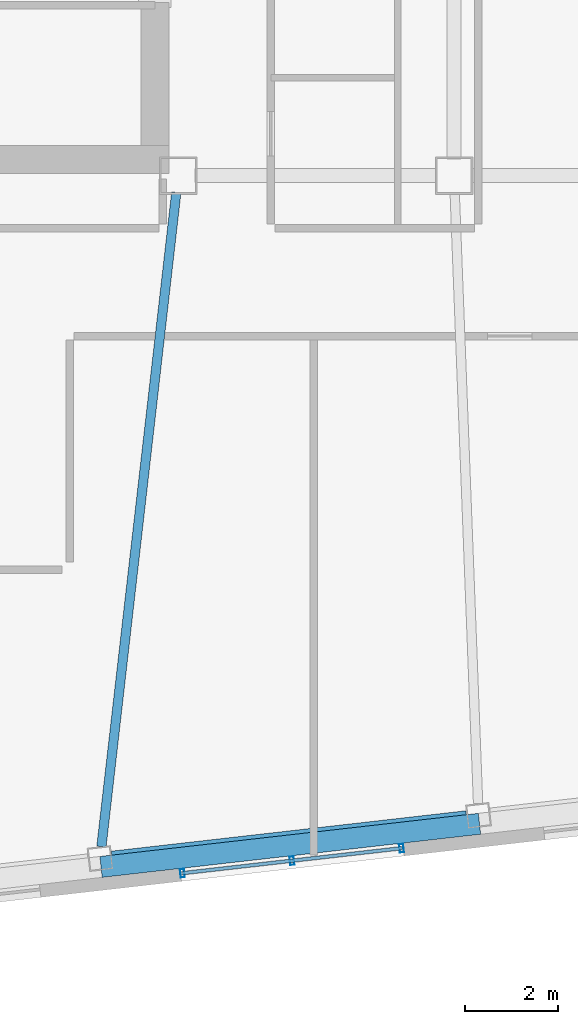
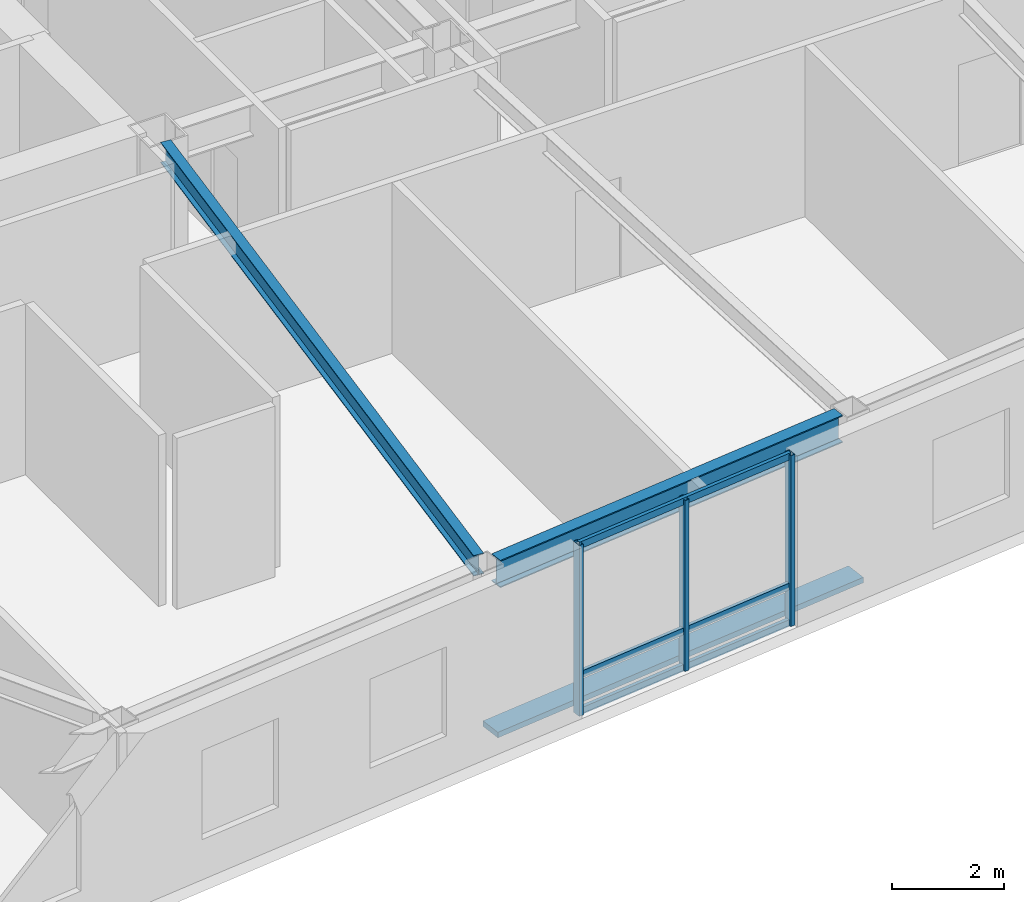
# One storey, part 4 of 19: 7 members, 2 beams, 1 element without a shape of its own.
"""IFC4 building model written with IfcOpenShell, lengths in metres."""

from ifc_helpers import new_model, si_unit, direction, frame, origin, origin_2d, place, context, subcontext, project, spatial, rectangle, hollow_rectangle, i_section, extrude, material, layer, layer_set, material_profile, profile_set, type_object, element, aggregate, save


model = new_model("IFC4")

# Units and contexts
model_context = context("Model", 3, precision=1e-05, world=origin(), true_north=direction((0.0, 1.0)))
body_context = subcontext(model_context, "Body", "Model", "MODEL_VIEW")
ifc_project = project(units=[si_unit("LENGTHUNIT", "METRE"), si_unit("AREAUNIT", "SQUARE_METRE"), si_unit("VOLUMEUNIT", "CUBIC_METRE"), si_unit("PLANEANGLEUNIT", "RADIAN"), si_unit("MASSUNIT", "GRAM", prefix="KILO")], contexts=[model_context])

# Site, building, storey
site_placement = place(None, origin())
site = spatial("IfcSite", under=ifc_project, at=site_placement, CompositionType="ELEMENT")
building_placement = place(site_placement, origin())
building = spatial("IfcBuilding", under=site, at=building_placement, Name="Tavrogorsk Clinical Tower", CompositionType="ELEMENT")
storey_placement = place(building_placement, frame((0.0, 0.0, 263.0)))
storey = spatial("IfcBuildingStorey", under=building, at=storey_placement, Name="L61", CompositionType="ELEMENT", Elevation=263.0)

# Member
ifc_material_1 = material(Name="Anodised aluminium alloy AW-6063", Category="aluminium")
ifc_material_profile_1 = material_profile(ifc_material_1, rectangle(XDim=0.449951171875, YDim=0.1201171875, at=origin_2d()), Name="ALU-SUNSHADE-450x120")
ifc_profile_set_1 = profile_set([ifc_material_profile_1], Name="Anodised aluminium alloy AW-6063")
member_type_1 = type_object("IfcMemberType", Name="ChicagoSunshade_450x120", PredefinedType="USERDEFINED", material=ifc_profile_set_1)
member_1_placement = place(storey_placement, frame((-11.951904296875, -21.136474609375, 0.179931640625), z_axis=(0.9935729766, 0.113193375116, 0.0), x_axis=(-0.113193375116, 0.9935729766, 0.0)))
element("IfcMember", 1, at=member_1_placement, inside=storey, type_object=member_type_1, Name="L61 South Aluminium Sunshade S3", ObjectType="SUNSHADE", PredefinedType="USERDEFINED", context=body_context, shape_type="SweptSolid", body=[
    extrude(rectangle(XDim=0.449951171875, YDim=0.1201171875, at=origin_2d()), origin(), (0.0, 0.0, 1.0), 8.148681640625),
])

# Curtain wall, members
ifc_material_2 = material(Name="Anodised aluminium and triple IGU glazing", Category="aluminium")
ifc_layer = layer(ifc_material_2, 0.179931640625)
ifc_layer_set = layer_set([ifc_layer], Name="Anodised aluminium and triple IGU glazing")
curtain_wall_type = type_object("IfcCurtainWallType", Name="CW3_SouthSlot", PredefinedType="NOTDEFINED", material=ifc_layer_set)
curtain_wall_placement = place(storey_placement, origin())
curtain_wall = element("IfcCurtainWall", 2, at=curtain_wall_placement, inside=storey, type_object=curtain_wall_type, Name="L61 Curtain Wall CW-L61-S-SLOT-1", PredefinedType="NOTDEFINED")
ifc_material_3 = material(Name="Anodised aluminium alloy AW-6060", Category="aluminium")
ifc_material_profile_2 = material_profile(ifc_material_3, hollow_rectangle(XDim=0.090087890625, YDim=0.179931640625, WallThickness=0.00634765625, at=origin_2d()), Name="RHS-180x90x6.3")
ifc_profile_set_2 = profile_set([ifc_material_profile_2], Name="Anodised aluminium alloy AW-6060")
member_type_2 = type_object("IfcMemberType", Name="CwMullion_180x90", PredefinedType="MULLION", material=ifc_profile_set_2)
member_2_placement = place(storey_placement, frame((-10.21044921875, -21.270263671875, 0.0), z_axis=(0.0, 0.0, 1.0), x_axis=(0.993571855603, 0.11320321441, 0.0)))
member_2 = element("IfcMember", 3, at=member_2_placement, type_object=member_type_2, Name="CW-L61-S-SLOT-1 Mullion 1", PredefinedType="MULLION", context=body_context, shape_type="SweptSolid", body=[
    extrude(hollow_rectangle(XDim=0.090087890625, YDim=0.179931640625, WallThickness=0.00634765625, at=origin_2d()), origin(), (0.0, 0.0, 1.0), 3.739990234375),
])
member_3_placement = place(storey_placement, frame((-7.866455078125, -21.003173828125, 0.0), z_axis=(0.0, 0.0, 1.0), x_axis=(0.993571855603, 0.11320321441, 0.0)))
member_3 = element("IfcMember", 4, at=member_3_placement, type_object=member_type_2, Name="CW-L61-S-SLOT-1 Mullion 2", PredefinedType="MULLION", context=body_context, shape_type="SweptSolid", body=[
    extrude(hollow_rectangle(XDim=0.090087890625, YDim=0.179931640625, WallThickness=0.00634765625, at=origin_2d()), origin(), (0.0, 0.0, 1.0), 3.739990234375),
])
member_4_placement = place(storey_placement, frame((-5.522705078125, -20.736083984375, 0.0), z_axis=(0.0, 0.0, 1.0), x_axis=(0.993571855603, 0.11320321441, 0.0)))
member_4 = element("IfcMember", 5, at=member_4_placement, type_object=member_type_2, Name="CW-L61-S-SLOT-1 Mullion 3", PredefinedType="MULLION", context=body_context, shape_type="SweptSolid", body=[
    extrude(hollow_rectangle(XDim=0.090087890625, YDim=0.179931640625, WallThickness=0.00634765625, at=origin_2d()), origin(), (0.0, 0.0, 1.0), 3.739990234375),
])
ifc_material_4 = material(Name="Anodised aluminium alloy AW-6060", Category="aluminium")
ifc_material_profile_3 = material_profile(ifc_material_4, hollow_rectangle(XDim=0.074951171875, YDim=0.14990234375, WallThickness=0.0048828125, at=origin_2d()), Name="RHS-150x75x5")
ifc_profile_set_3 = profile_set([ifc_material_profile_3], Name="Anodised aluminium alloy AW-6060")
member_type_3 = type_object("IfcMemberType", Name="CwTransom_150x75", PredefinedType="USERDEFINED", material=ifc_profile_set_3)
member_5_placement = place(storey_placement, frame((-10.21044921875, -21.270263671875, 0.050048828125), z_axis=(0.993569979218, 0.113219682023, 0.0), x_axis=(-0.113219682023, 0.993569979218, 0.0)))
member_5 = element("IfcMember", 6, at=member_5_placement, type_object=member_type_3, Name="CW-L61-S-SLOT-1 Transom 1", ObjectType="TRANSOM", PredefinedType="USERDEFINED", context=body_context, shape_type="SweptSolid", body=[
    extrude(hollow_rectangle(XDim=0.074951171875, YDim=0.14990234375, WallThickness=0.0048828125, at=origin_2d()), origin(), (0.0, 0.0, 1.0), 4.718017578125),
])
member_6_placement = place(storey_placement, frame((-10.21044921875, -21.270263671875, 0.85009765625), z_axis=(0.993569979218, 0.113219682023, 0.0), x_axis=(-0.113219682023, 0.993569979218, 0.0)))
member_6 = element("IfcMember", 7, at=member_6_placement, type_object=member_type_3, Name="CW-L61-S-SLOT-1 Transom 2", ObjectType="TRANSOM", PredefinedType="USERDEFINED", context=body_context, shape_type="SweptSolid", body=[
    extrude(hollow_rectangle(XDim=0.074951171875, YDim=0.14990234375, WallThickness=0.0048828125, at=origin_2d()), origin(), (0.0, 0.0, 1.0), 4.718017578125),
])
member_7_placement = place(storey_placement, frame((-10.21044921875, -21.270263671875, 3.68994140625), z_axis=(0.993569979218, 0.113219682023, 0.0), x_axis=(-0.113219682023, 0.993569979218, 0.0)))
member_7 = element("IfcMember", 8, at=member_7_placement, type_object=member_type_3, Name="CW-L61-S-SLOT-1 Transom 3", ObjectType="TRANSOM", PredefinedType="USERDEFINED", context=body_context, shape_type="SweptSolid", body=[
    extrude(hollow_rectangle(XDim=0.074951171875, YDim=0.14990234375, WallThickness=0.0048828125, at=origin_2d()), origin(), (0.0, 0.0, 1.0), 4.718017578125),
])
aggregate(curtain_wall, [member_2, member_3, member_4, member_5, member_6, member_7])

# Beams
ifc_material_5 = material(Name="Structural steel S355", Category="steel")
ifc_material_profile_4 = material_profile(ifc_material_5, i_section(OverallWidth=0.199951171875, OverallDepth=0.449951171875, WebThickness=0.011474609375, FlangeThickness=0.01806640625, at=origin_2d()), Name="B-450x200x11.5x18")
ifc_profile_set_4 = profile_set([ifc_material_profile_4], Name="Structural steel S355")
beam_type_1 = type_object("IfcBeamType", Name="FloorBeam_B450", PredefinedType="BEAM", material=ifc_profile_set_4)
beam_1_placement = place(storey_placement, frame((-10.341064453125, -6.707763671875, 3.514892578125), z_axis=(-0.113743110947, -0.993510193562, 0.0), x_axis=(0.993510193562, -0.113743110947, 0.0)))
element("IfcBeam", 9, at=beam_1_placement, inside=storey, type_object=beam_type_1, Name="L61 Radial Floor Beam S3", PredefinedType="BEAM", context=body_context, shape_type="SweptSolid", body=[
    extrude(i_section(OverallWidth=0.199951171875, OverallDepth=0.449951171875, WebThickness=0.011474609375, FlangeThickness=0.01806640625, at=origin_2d()), origin(), (0.0, 0.0, 1.0), 14.084716796875),
])
ifc_material_6 = material(Name="Structural steel S390", Category="steel")
ifc_material_profile_5 = material_profile(ifc_material_6, i_section(OverallWidth=0.260009765625, OverallDepth=0.60009765625, WebThickness=0.014892578125, FlangeThickness=0.02392578125, at=origin_2d()), Name="B-600x260x15x24")
ifc_profile_set_5 = profile_set([ifc_material_profile_5], Name="Structural steel S390")
beam_type_2 = type_object("IfcBeamType", Name="SpandrelBeam_B600", PredefinedType="SPANDREL", material=ifc_profile_set_5)
beam_2_placement = place(storey_placement, frame((-11.716064453125, -20.928466796875, 3.43994140625), z_axis=(0.993572509708, 0.113197473259, 0.0), x_axis=(-0.113197473259, 0.993572509708, 0.0)))
element("IfcBeam", 10, at=beam_2_placement, inside=storey, type_object=beam_type_2, Name="L61 Perimeter Spandrel S3-S4", PredefinedType="SPANDREL", context=body_context, shape_type="SweptSolid", body=[
    extrude(i_section(OverallWidth=0.260009765625, OverallDepth=0.60009765625, WebThickness=0.014892578125, FlangeThickness=0.02392578125, at=origin_2d()), origin(), (0.0, 0.0, 1.0), 7.6328125),
])

save(model, "model.ifc")
